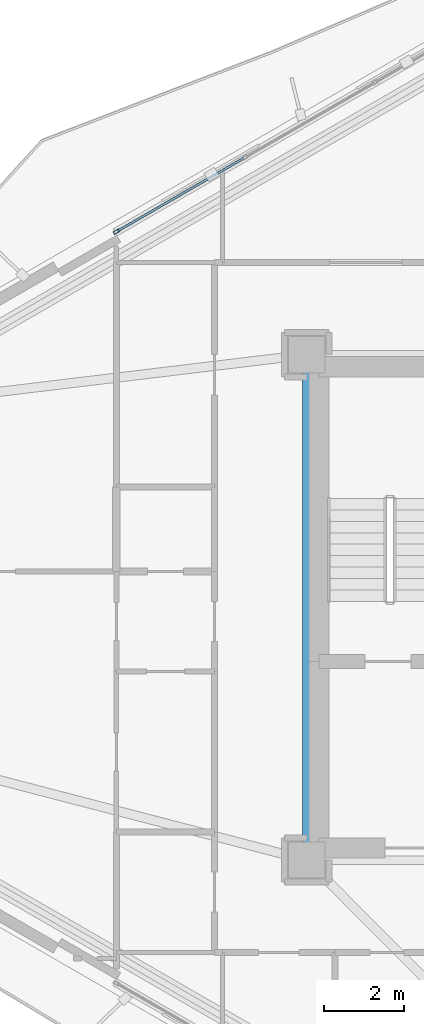
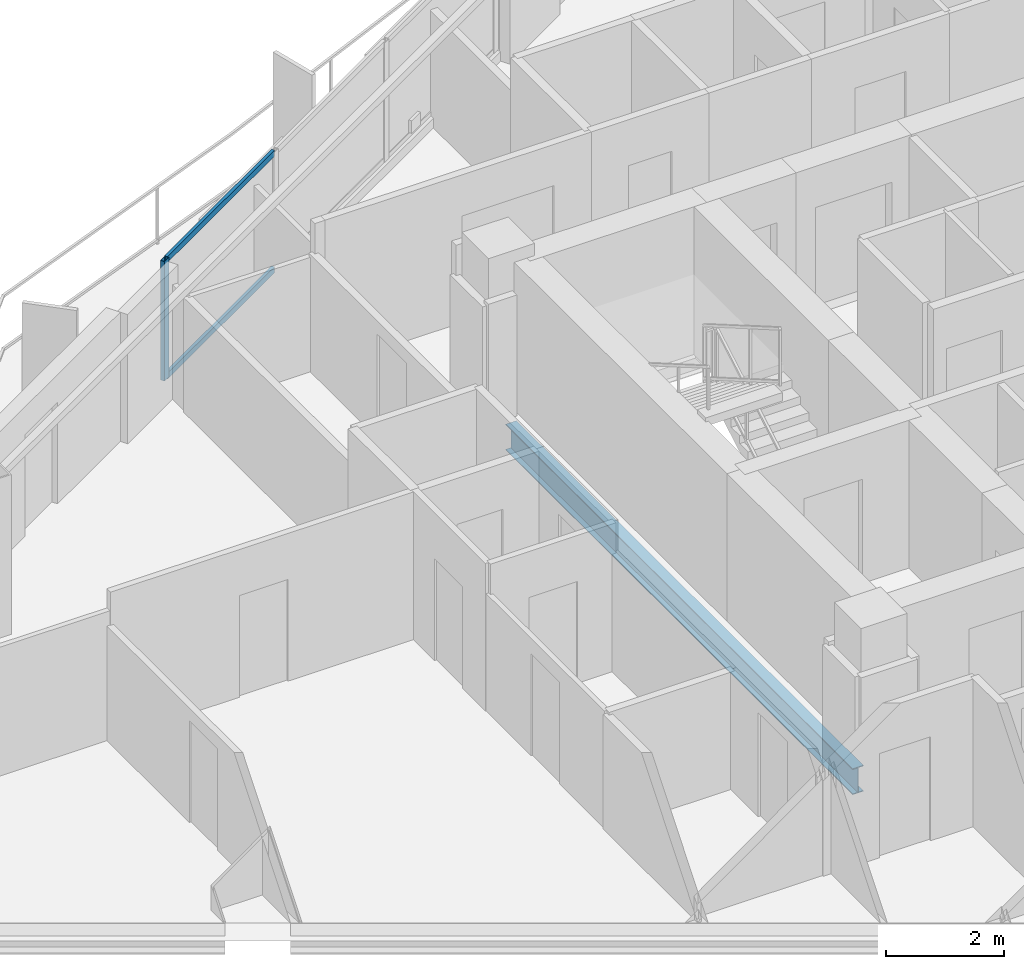
# One storey, part 6 of 23: 3 members, 1 beam, 1 element without a shape of its own.
"""IFC4 building model written with IfcOpenShell, lengths in metres."""

from ifc_helpers import new_model, si_unit, direction, frame, origin, origin_2d, place, context, subcontext, project, spatial, hollow_rectangle, i_section, extrude, material, layer, layer_set, material_profile, profile_set, type_object, element, aggregate, save


model = new_model("IFC4")

# Units and contexts
model_context = context("Model", 3, precision=1e-05, world=origin(), true_north=direction((0.0, 1.0)))
body_context = subcontext(model_context, "Body", "Model", "MODEL_VIEW")
ifc_project = project(units=[si_unit("LENGTHUNIT", "METRE"), si_unit("AREAUNIT", "SQUARE_METRE"), si_unit("VOLUMEUNIT", "CUBIC_METRE"), si_unit("PLANEANGLEUNIT", "RADIAN"), si_unit("MASSUNIT", "GRAM", prefix="KILO")], contexts=[model_context])

# Site, building, storey
site_placement = place(None, origin())
site = spatial("IfcSite", under=ifc_project, at=site_placement, CompositionType="ELEMENT")
building_placement = place(site_placement, origin())
building = spatial("IfcBuilding", under=site, at=building_placement, Name="Mersakhor Tower and Convention Hall", CompositionType="ELEMENT")
storey_placement = place(building_placement, frame((0.0, 0.0, 73.5)))
storey = spatial("IfcBuildingStorey", under=building, at=storey_placement, Name="L19", CompositionType="ELEMENT", Elevation=73.5)

# Beam
ifc_material_1 = material(Name="Steel S355", Category="steel")
ifc_material_profile_1 = material_profile(ifc_material_1, i_section(OverallWidth=0.2099609375, OverallDepth=0.53662109375, WebThickness=0.0107421875, FlangeThickness=0.017333984375, at=origin_2d()), Name="UB 533x210x101")
ifc_profile_set_1 = profile_set([ifc_material_profile_1], Name="Steel S355")
beam_type = type_object("IfcBeamType", Name="BM-FB-533", PredefinedType="BEAM", material=ifc_profile_set_1)
beam_placement = place(storey_placement, frame((21.89990234375, 20.8798828125, -0.518310546875), z_axis=(0.0, 1.0, 0.0), x_axis=(-1.0, 0.0, 0.0)))
element("IfcBeam", 1, at=beam_placement, inside=storey, type_object=beam_type, Name="L19 Core Ring Tie Beam CRB-1", PredefinedType="BEAM", context=body_context, shape_type="SweptSolid", body=[
    extrude(i_section(OverallWidth=0.2099609375, OverallDepth=0.53662109375, WebThickness=0.0107421875, FlangeThickness=0.017333984375, at=origin_2d()), origin(), (0.0, 0.0, 1.0), 11.740234375),
])

# Curtain wall, members
ifc_material_2 = material(Name="Dark solar low-E aluminium curtain wall", Category="aluminium")
ifc_layer = layer(ifc_material_2, 0.159912109375)
ifc_layer_set = layer_set([ifc_layer], Name="Dark solar low-E aluminium curtain wall")
curtain_wall_type = type_object("IfcCurtainWallType", Name="CW-SYS-01", PredefinedType="USERDEFINED", material=ifc_layer_set)
curtain_wall_placement = place(storey_placement, origin())
curtain_wall = element("IfcCurtainWall", 2, at=curtain_wall_placement, inside=storey, type_object=curtain_wall_type, Name="L19 Dark-Glass Curtain Wall F1-B2", ObjectType="CURTAIN WALL", PredefinedType="USERDEFINED")
ifc_material_3 = material(Name="Anodised aluminium EN AW-6063 T6", Category="aluminium")
ifc_material_profile_2 = material_profile(ifc_material_3, hollow_rectangle(XDim=0.074951171875, YDim=0.14990234375, WallThickness=0.00634765625, at=origin_2d()), Name="RHS 150x75x6.3")
ifc_profile_set_2 = profile_set([ifc_material_profile_2], Name="Anodised aluminium EN AW-6063 T6")
member_type_1 = type_object("IfcMemberType", Name="CWM-150x75", PredefinedType="MULLION", material=ifc_profile_set_2)
member_1_placement = place(storey_placement, frame((17.152587890625, 36.11572265625, 0.199951171875), z_axis=(0.0, 0.0, 1.0), x_axis=(-0.499997904985, 0.866026613339, 0.0)))
member_1 = element("IfcMember", 3, at=member_1_placement, type_object=member_type_1, Name="CW-01 mullion 1", PredefinedType="MULLION", context=body_context, shape_type="SweptSolid", body=[
    extrude(hollow_rectangle(XDim=0.074951171875, YDim=0.14990234375, WallThickness=0.00634765625, at=origin_2d()), origin(), (0.0, 0.0, 1.0), 2.469970703125),
])
ifc_material_4 = material(Name="Anodised aluminium EN AW-6063 T6", Category="aluminium")
ifc_material_profile_3 = material_profile(ifc_material_4, hollow_rectangle(XDim=0.06005859375, YDim=0.1201171875, WallThickness=0.0048828125, at=origin_2d()), Name="RHS 120x60x5")
ifc_profile_set_3 = profile_set([ifc_material_profile_3], Name="Anodised aluminium EN AW-6063 T6")
member_type_2 = type_object("IfcMemberType", Name="CWT-120x60", PredefinedType="USERDEFINED", material=ifc_profile_set_3)
member_2_placement = place(storey_placement, frame((17.18505859375, 36.134521484375, 0.22998046875), z_axis=(0.866045614266, 0.499964992784, 0.0), x_axis=(-0.499964992784, 0.866045614266, 0.0)))
member_2 = element("IfcMember", 4, at=member_2_placement, type_object=member_type_2, Name="CW-01 transom 1.1", ObjectType="TRANSOM", PredefinedType="USERDEFINED", context=body_context, shape_type="SweptSolid", body=[
    extrude(hollow_rectangle(XDim=0.06005859375, YDim=0.1201171875, WallThickness=0.0048828125, at=origin_2d()), origin(), (0.0, 0.0, 1.0), 3.630615234375),
])
member_3_placement = place(storey_placement, frame((17.18505859375, 36.134521484375, 2.639892578125), z_axis=(0.866045614266, 0.499964992784, 0.0), x_axis=(-0.499964992784, 0.866045614266, 0.0)))
member_3 = element("IfcMember", 5, at=member_3_placement, type_object=member_type_2, Name="CW-01 transom 1.2", ObjectType="TRANSOM", PredefinedType="USERDEFINED", context=body_context, shape_type="SweptSolid", body=[
    extrude(hollow_rectangle(XDim=0.06005859375, YDim=0.1201171875, WallThickness=0.0048828125, at=origin_2d()), origin(), (0.0, 0.0, 1.0), 3.630615234375),
])
aggregate(curtain_wall, [member_1, member_2, member_3])

save(model, "model.ifc")
